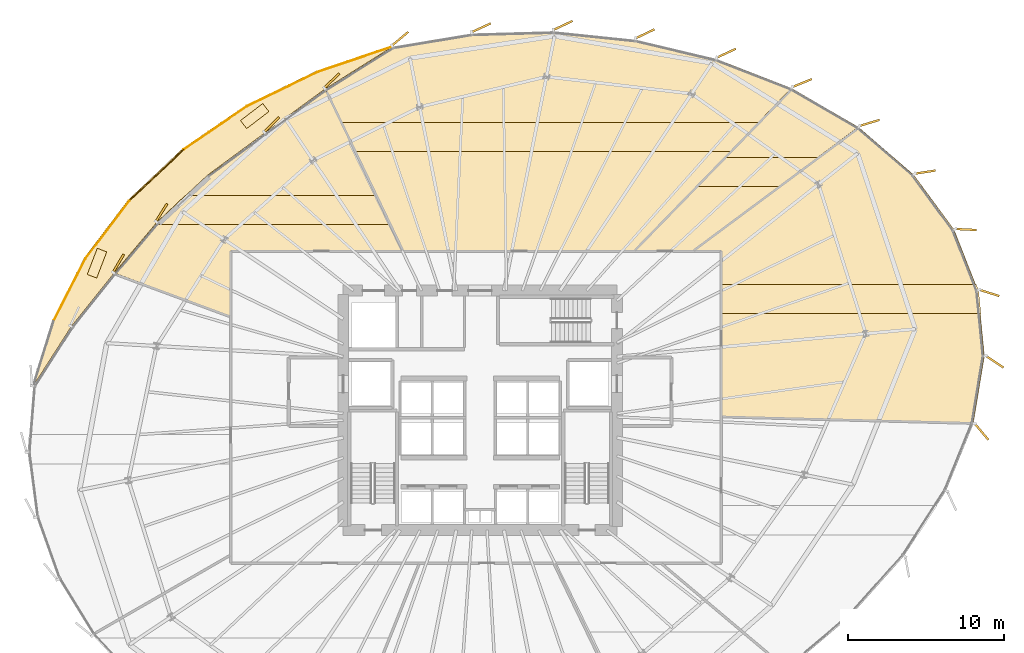
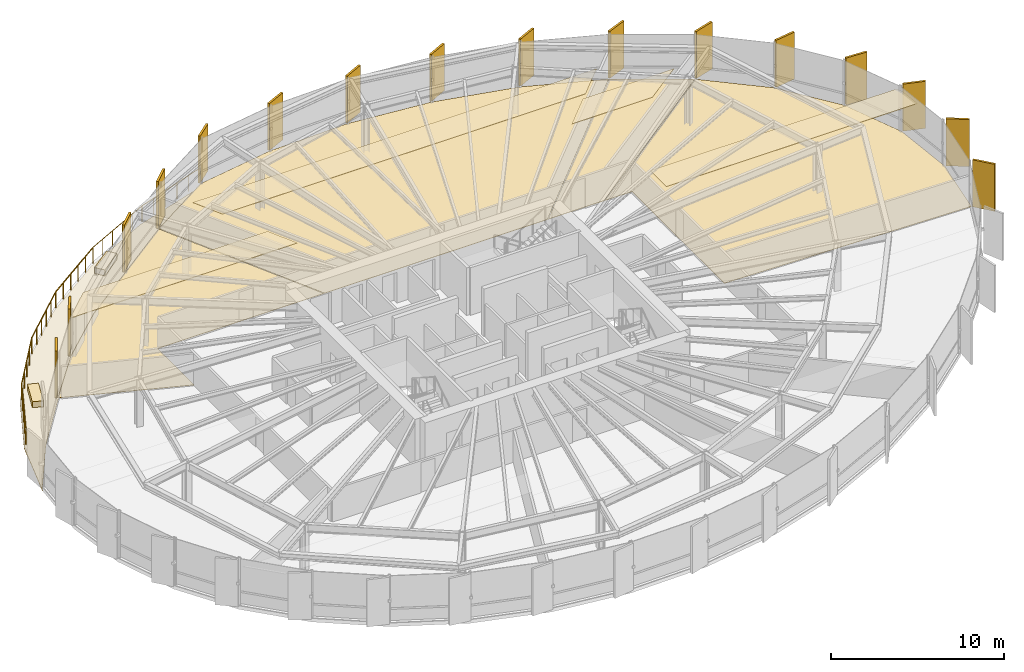
# One storey, part 35 of 35: 27 coverings, 6 railings.
"""IFC4 building model written with IfcOpenShell, lengths in metres."""

from ifc_helpers import new_model, si_unit, direction, frame, origin, origin_2d, place, context, subcontext, project, spatial, polyline, rectangle, circle, outline, extrude, source, transform, mapped, material, layer, layer_set, type_object, element, save


model = new_model("IFC4")

# Units and contexts
model_context = context("Model", 3, precision=1e-05, world=origin(), true_north=direction((0.0, 1.0)))
body_context = subcontext(model_context, "Body", "Model", "MODEL_VIEW")
ifc_project = project(units=[si_unit("LENGTHUNIT", "METRE"), si_unit("AREAUNIT", "SQUARE_METRE"), si_unit("VOLUMEUNIT", "CUBIC_METRE"), si_unit("PLANEANGLEUNIT", "RADIAN"), si_unit("MASSUNIT", "GRAM", prefix="KILO"), si_unit("THERMODYNAMICTEMPERATUREUNIT", "KELVIN")], contexts=[model_context])

# Site, building, storey
site_placement = place(None, origin())
site = spatial("IfcSite", under=ifc_project, at=site_placement, CompositionType="ELEMENT")
building_placement = place(site_placement, origin())
building = spatial("IfcBuilding", under=site, at=building_placement, Name="Kethvar Cultural Tower", CompositionType="ELEMENT")
storey_placement = place(building_placement, frame((0.0, 0.0, 89.199951171875)))
storey = spatial("IfcBuildingStorey", under=building, at=storey_placement, Name="L21", CompositionType="ELEMENT", Elevation=89.199951171875)

# Coverings
ifc_material_1 = material(Name="Acoustic Mineral Fibre Ceiling")
ifc_layer_1 = layer(ifc_material_1, 0.0400390625, Name="Acoustic Mineral Fibre Ceiling")
ifc_layer_set_1 = layer_set([ifc_layer_1], Name="Acoustic Mineral Fibre Ceiling (40 mm)")
covering_type_1 = type_object("IfcCoveringType", Name="CV-ACOUSTIC-CEIL", PredefinedType="CEILING", material=ifc_layer_set_1)
covering_1_placement = place(storey_placement, frame((0.0, 0.0, 2.780029296875)))
element("IfcCovering", 1, at=covering_1_placement, inside=storey, type_object=covering_type_1, Name="L21 Room 05 Acoustic Ceiling Panel", PredefinedType="CEILING", context=body_context, shape_type="SweptSolid", body=[
    extrude(outline(polyline([(62.2900390625, 35.90234375), (78.70068359375, 35.90234375), (78.859619140625, 35.495849609375), (79.0029296875, 34.032470703125), (62.2900390625, 34.032470703125), (62.2900390625, 35.90234375)])), origin(), (0.0, 0.0, 1.0), 0.0400390625),
])
covering_2_placement = place(storey_placement, frame((0.0, 0.0, 2.780029296875)))
element("IfcCovering", 2, at=covering_2_placement, inside=storey, type_object=covering_type_1, Name="L21 Room 06 Acoustic Ceiling Panel", PredefinedType="CEILING", context=body_context, shape_type="SweptSolid", body=[
    extrude(outline(polyline([(66.088623046875, 42.2060546875), (60.713134765625, 42.2060546875), (62.522705078125, 44.075927734375), (68.587890625, 44.075927734375), (66.088623046875, 42.2060546875)])), origin(), (0.0, 0.0, 1.0), 0.0400390625),
])
covering_3_placement = place(storey_placement, frame((0.0, 0.0, 2.780029296875)))
element("IfcCovering", 3, at=covering_3_placement, inside=storey, type_object=covering_type_1, Name="L21 Room 07 Acoustic Ceiling Panel", PredefinedType="CEILING", context=body_context, shape_type="SweptSolid", body=[
    extrude(outline(polyline([(62.92578125, 44.43505859375), (38.75048828125, 44.43505859375), (37.848388671875, 46.30517578125), (64.7353515625, 46.30517578125), (62.92578125, 44.43505859375)])), origin(), (0.0, 0.0, 1.0), 0.0400390625),
])
covering_4_placement = place(storey_placement, frame((0.0, 0.0, 2.780029296875)))
element("IfcCovering", 4, at=covering_4_placement, inside=storey, type_object=covering_type_1, Name="L21 Room 08 Acoustic Ceiling Panel", PredefinedType="CEILING", context=body_context, shape_type="SweptSolid", body=[
    extrude(outline(polyline([(25.8828125, 39.763427734375), (27.856689453125, 41.63330078125), (40.14697265625, 41.63330078125), (41.04931640625, 39.763427734375), (25.8828125, 39.763427734375)])), origin(), (0.0, 0.0, 1.0), 0.0400390625),
])
ifc_material_2 = material(Name="Architectural Oak Timber", Category="wood")
ifc_layer_2 = layer(ifc_material_2, 0.02490234375, Name="Architectural Oak Timber", Category="wood")
ifc_layer_set_2 = layer_set([ifc_layer_2], Name="Architectural Oak Timber (25 mm)")
covering_type_2 = type_object("IfcCoveringType", Name="CV-OAK-FLOOR", PredefinedType="FLOORING", material=ifc_layer_set_2)
covering_5_placement = place(storey_placement, origin())
element("IfcCovering", 5, at=covering_5_placement, inside=storey, type_object=covering_type_2, Name="L21 Room 05 Floor Finish", PredefinedType="FLOORING", context=body_context, shape_type="SweptSolid", body=[
    extrude(outline(polyline([(78.51904296875, 26.9765625), (62.330078125, 27.406982421875), (62.32958984375, 38.0439453125), (60.547119140625, 38.06005859375), (71.14990234375, 45.99267578125), (74.678955078125, 42.946044921875), (77.281982421875, 39.409423828125), (78.820556640625, 35.4873046875), (79.230224609375, 31.29443359375), (78.51904296875, 26.9765625)])), origin(), (0.0, 0.0, 1.0), 0.025146484375),
])
covering_6_placement = place(storey_placement, origin())
element("IfcCovering", 6, at=covering_6_placement, inside=storey, type_object=covering_type_2, Name="L21 Room 06 Floor Finish", PredefinedType="FLOORING", context=body_context, shape_type="SweptSolid", body=[
    extrude(outline(polyline([(71.114501953125, 46.01611328125), (60.480224609375, 38.06005859375), (56.756591796875, 38.06005859375), (66.853515625, 48.493896484375), (71.114501953125, 46.01611328125)])), origin(), (0.0, 0.0, 1.0), 0.025146484375),
])
covering_7_placement = place(storey_placement, origin())
element("IfcCovering", 7, at=covering_7_placement, inside=storey, type_object=covering_type_2, Name="L21 Room 07 Floor Finish", PredefinedType="FLOORING", context=body_context, shape_type="SweptSolid", body=[
    extrude(outline(polyline([(41.190185546875, 51.177001953125), (46.270263671875, 52.02099609375), (51.521484375, 52.166015625), (56.82080078125, 51.6162109375), (61.99560546875, 50.385986328125), (66.814697265625, 48.51123046875), (56.700927734375, 38.06005859375), (41.871337890625, 38.06005859375), (36.853759765625, 48.4580078125), (41.190185546875, 51.177001953125)])), origin(), (0.0, 0.0, 1.0), 0.025146484375),
])
covering_8_placement = place(storey_placement, origin())
element("IfcCovering", 8, at=covering_8_placement, inside=storey, type_object=covering_type_2, Name="L21 Room 08 Floor Finish", PredefinedType="FLOORING", context=body_context, shape_type="SweptSolid", body=[
    extrude(outline(polyline([(26.055908203125, 39.906494140625), (29.29638671875, 42.91552734375), (36.8203125, 48.435302734375), (41.826904296875, 38.06005859375), (30.76220703125, 38.05859375), (30.75, 33.839111328125), (23.29541015625, 36.634033203125), (26.055908203125, 39.906494140625)])), origin(), (0.0, 0.0, 1.0), 0.025146484375),
])
ifc_material_3 = material(Name="Insulated Waterproofing Membrane")
ifc_layer_3 = layer(ifc_material_3, 0.06005859375, Name="Insulated Waterproofing Membrane")
ifc_layer_set_3 = layer_set([ifc_layer_3], Name="Insulated Waterproofing Membrane (60 mm)")
covering_type_3 = type_object("IfcCoveringType", Name="CV-ROOF-MEMB", PredefinedType="ROOFING", material=ifc_layer_set_3)
covering_9_placement = place(storey_placement, frame((0.0, 0.0, -0.27490234375)))
element("IfcCovering", 9, at=covering_9_placement, inside=storey, type_object=covering_type_3, Name="L21 Terrace Waterproofing", PredefinedType="ROOFING", context=body_context, shape_type="SweptSolid", body=[
    extrude(outline(polyline([(41.18310546875, 51.196044921875), (36.3125, 49.65087890625), (31.7607421875, 47.441650390625), (27.666015625, 44.6357421875), (24.15234375, 41.318115234375), (21.326904296875, 37.58984375), (19.275634765625, 33.564208984375), (18.060546875, 29.36328125), (20.514892578125, 33.197021484375), (23.26171875, 36.625244140625), (26.04150390625, 39.92041015625), (29.283447265625, 42.930908203125), (32.9541015625, 45.638671875), (36.827880859375, 48.465576171875), (41.18310546875, 51.196044921875)])), origin(), (0.0, 0.0, 1.0), 0.06005859375),
])

# Railings
ifc_material_4 = material(Name="Steel S355J2", Category="steel")
railing_type = type_object("IfcRailingType", Name="RL-EXT-GUARD-1150", PredefinedType="BALUSTRADE", material=ifc_material_4)
railing_1_placement = place(storey_placement, frame((41.18310546875, 51.196044921875, 0.0)))
element("IfcRailing", 10, at=railing_1_placement, inside=storey, type_object=railing_type, Name="L21 Spiralling Terrace Balustrade 01", PredefinedType="BALUSTRADE", context=body_context, shape_type="SweptSolid", body=[
    extrude(circle(Radius=0.02392578125, at=origin_2d()), frame((0.0, 0.0, 1.1259765625), z_axis=(-0.947114992082, -0.320894362328, 0.0), x_axis=(0.320894362328, -0.947114992082, 0.0)), (0.0, 0.0, 1.0), 5.0966796875),
    extrude(circle(Radius=0.02099609375, at=origin_2d()), origin(), (0.0, 0.0, 1.0), 1.101806640625),
    extrude(circle(Radius=0.02099609375, at=origin_2d()), frame((-0.96533203125, -0.3271484375, 0.0)), (0.0, 0.0, 1.0), 1.101806640625),
    extrude(circle(Radius=0.02099609375, at=origin_2d()), frame((-1.930908203125, -0.654296875, 0.0)), (0.0, 0.0, 1.0), 1.101806640625),
    extrude(circle(Radius=0.02099609375, at=origin_2d()), frame((-2.896240234375, -0.981201171875, 0.0)), (0.0, 0.0, 1.0), 1.101806640625),
    extrude(circle(Radius=0.02099609375, at=origin_2d()), frame((-3.86181640625, -1.308349609375, 0.0)), (0.0, 0.0, 1.0), 1.101806640625),
    extrude(circle(Radius=0.02099609375, at=origin_2d()), frame((-4.8271484375, -1.635498046875, 0.0)), (0.0, 0.0, 1.0), 1.101806640625),
])
railing_2_placement = place(storey_placement, frame((36.35595703125, 49.560546875, 0.0)))
element("IfcRailing", 11, at=railing_2_placement, inside=storey, type_object=railing_type, Name="L21 Spiralling Terrace Balustrade 02", PredefinedType="BALUSTRADE", context=body_context, shape_type="SweptSolid", body=[
    extrude(circle(Radius=0.02392578125, at=origin_2d()), frame((0.0, 0.0, 1.1259765625), z_axis=(-0.899834854404, -0.436230712812, 0.0), x_axis=(0.436230712812, -0.899834854404, 0.0)), (0.0, 0.0, 1.0), 5.0390625),
    extrude(circle(Radius=0.02099609375, at=origin_2d()), origin(), (0.0, 0.0, 1.0), 1.101806640625),
    extrude(circle(Radius=0.02099609375, at=origin_2d()), frame((-0.906982421875, -0.439697265625, 0.0)), (0.0, 0.0, 1.0), 1.101806640625),
    extrude(circle(Radius=0.02099609375, at=origin_2d()), frame((-1.813720703125, -0.87939453125, 0.0)), (0.0, 0.0, 1.0), 1.101806640625),
    extrude(circle(Radius=0.02099609375, at=origin_2d()), frame((-2.720703125, -1.31884765625, 0.0)), (0.0, 0.0, 1.0), 1.101806640625),
    extrude(circle(Radius=0.02099609375, at=origin_2d()), frame((-3.62744140625, -1.758544921875, 0.0)), (0.0, 0.0, 1.0), 1.101806640625),
    extrude(circle(Radius=0.02099609375, at=origin_2d()), frame((-4.534423828125, -2.1982421875, 0.0)), (0.0, 0.0, 1.0), 1.101806640625),
])
railing_3_placement = place(storey_placement, frame((31.821533203125, 47.3623046875, 0.0)))
element("IfcRailing", 12, at=railing_3_placement, inside=storey, type_object=railing_type, Name="L21 Spiralling Terrace Balustrade 03", PredefinedType="BALUSTRADE", context=body_context, shape_type="SweptSolid", body=[
    extrude(circle(Radius=0.02392578125, at=origin_2d()), frame((0.0, 0.0, 1.1259765625), z_axis=(-0.825235802187, -0.564788341583, 0.0), x_axis=(0.564788341583, -0.825235802187, 0.0)), (0.0, 0.0, 1.0), 4.94482421875),
    extrude(circle(Radius=0.02099609375, at=origin_2d()), origin(), (0.0, 0.0, 1.0), 1.101806640625),
    extrude(circle(Radius=0.02099609375, at=origin_2d()), frame((-0.816162109375, -0.55859375, 0.0)), (0.0, 0.0, 1.0), 1.101806640625),
    extrude(circle(Radius=0.02099609375, at=origin_2d()), frame((-1.63232421875, -1.1171875, 0.0)), (0.0, 0.0, 1.0), 1.101806640625),
    extrude(circle(Radius=0.02099609375, at=origin_2d()), frame((-2.4482421875, -1.675537109375, 0.0)), (0.0, 0.0, 1.0), 1.101806640625),
    extrude(circle(Radius=0.02099609375, at=origin_2d()), frame((-3.264404296875, -2.234130859375, 0.0)), (0.0, 0.0, 1.0), 1.101806640625),
    extrude(circle(Radius=0.02099609375, at=origin_2d()), frame((-4.08056640625, -2.792724609375, 0.0)), (0.0, 0.0, 1.0), 1.101806640625),
])
railing_4_placement = place(storey_placement, frame((27.740966796875, 44.569580078125, 0.0)))
element("IfcRailing", 13, at=railing_4_placement, inside=storey, type_object=railing_type, Name="L21 Spiralling Terrace Balustrade 04", PredefinedType="BALUSTRADE", context=body_context, shape_type="SweptSolid", body=[
    extrude(circle(Radius=0.02392578125, at=origin_2d()), frame((0.0, 0.0, 1.1259765625), z_axis=(-0.727568432808, -0.686035112499, 0.0), x_axis=(0.686035112499, -0.727568432808, 0.0)), (0.0, 0.0, 1.0), 4.814208984375),
    extrude(circle(Radius=0.02099609375, at=origin_2d()), origin(), (0.0, 0.0, 1.0), 1.101806640625),
    extrude(circle(Radius=0.02099609375, at=origin_2d()), frame((-0.700439453125, -0.66064453125, 0.0)), (0.0, 0.0, 1.0), 1.101806640625),
    extrude(circle(Radius=0.02099609375, at=origin_2d()), frame((-1.401123046875, -1.321044921875, 0.0)), (0.0, 0.0, 1.0), 1.101806640625),
    extrude(circle(Radius=0.02099609375, at=origin_2d()), frame((-2.1015625, -1.981689453125, 0.0)), (0.0, 0.0, 1.0), 1.101806640625),
    extrude(circle(Radius=0.02099609375, at=origin_2d()), frame((-2.80224609375, -2.64208984375, 0.0)), (0.0, 0.0, 1.0), 1.101806640625),
    extrude(circle(Radius=0.02099609375, at=origin_2d()), frame((-3.502685546875, -3.302734375, 0.0)), (0.0, 0.0, 1.0), 1.101806640625),
])
railing_5_placement = place(storey_placement, frame((24.23828125, 41.266845703125, 0.0)))
element("IfcRailing", 14, at=railing_5_placement, inside=storey, type_object=railing_type, Name="L21 Spiralling Terrace Balustrade 05", PredefinedType="BALUSTRADE", context=body_context, shape_type="SweptSolid", body=[
    extrude(circle(Radius=0.02392578125, at=origin_2d()), frame((0.0, 0.0, 1.1259765625), z_axis=(-0.604549256269, -0.796567760297, 0.0), x_axis=(0.796567760297, -0.604549256269, 0.0)), (0.0, 0.0, 1.0), 4.6611328125),
    extrude(circle(Radius=0.02099609375, at=origin_2d()), origin(), (0.0, 0.0, 1.0), 1.101806640625),
    extrude(circle(Radius=0.02099609375, at=origin_2d()), frame((-0.70458984375, -0.92822265625, 0.0)), (0.0, 0.0, 1.0), 1.101806640625),
    extrude(circle(Radius=0.02099609375, at=origin_2d()), frame((-1.408935546875, -1.8564453125, 0.0)), (0.0, 0.0, 1.0), 1.101806640625),
    extrude(circle(Radius=0.02099609375, at=origin_2d()), frame((-2.11328125, -2.78466796875, 0.0)), (0.0, 0.0, 1.0), 1.101806640625),
    extrude(circle(Radius=0.02099609375, at=origin_2d()), frame((-2.81787109375, -3.712890625, 0.0)), (0.0, 0.0, 1.0), 1.101806640625),
])
railing_6_placement = place(storey_placement, frame((21.42041015625, 37.553955078125, 0.0)))
element("IfcRailing", 15, at=railing_6_placement, inside=storey, type_object=railing_type, Name="L21 Spiralling Terrace Balustrade 06", PredefinedType="BALUSTRADE", context=body_context, shape_type="SweptSolid", body=[
    extrude(circle(Radius=0.02392578125, at=origin_2d()), frame((0.0, 0.0, 1.1259765625), z_axis=(-0.454616092388, -0.890687492077, 0.0), x_axis=(0.890687492077, -0.454616092388, 0.0)), (0.0, 0.0, 1.0), 4.50244140625),
    extrude(circle(Radius=0.02099609375, at=origin_2d()), origin(), (0.0, 0.0, 1.0), 1.101806640625),
    extrude(circle(Radius=0.02099609375, at=origin_2d()), frame((-0.51171875, -1.00244140625, 0.0)), (0.0, 0.0, 1.0), 1.101806640625),
    extrude(circle(Radius=0.02099609375, at=origin_2d()), frame((-1.0234375, -2.005126953125, 0.0)), (0.0, 0.0, 1.0), 1.101806640625),
    extrude(circle(Radius=0.02099609375, at=origin_2d()), frame((-1.53515625, -3.0078125, 0.0)), (0.0, 0.0, 1.0), 1.101806640625),
    extrude(circle(Radius=0.02099609375, at=origin_2d()), frame((-2.046875, -4.01025390625, 0.0)), (0.0, 0.0, 1.0), 1.101806640625),
])

# Coverings
ifc_material_5 = material(Name="Extruded Architectural Terracotta", Category="masonry")
ifc_layer_4 = layer(ifc_material_5, 0.419921875, Name="Extruded Architectural Terracotta", Category="masonry")
ifc_layer_set_4 = layer_set([ifc_layer_4], Name="Extruded Architectural Terracotta (420 mm)")
covering_type_4 = type_object("IfcCoveringType", Name="Terracotta Terrace Planter PLANTER-01", PredefinedType="USERDEFINED", material=ifc_layer_set_4)
shared_shape_1 = source(origin(), body_context, "Body", "SweptSolid", [
    extrude(rectangle(XDim=1.800048828125, YDim=0.64990234375, at=origin_2d()), origin(), (0.0, 0.0, 1.0), 0.419921875),
])
for number, where, z_axis, x_axis, name in (
    (16, (32.307861328125, 46.72705078125, 0.0), (0.0, 0.0, 1.0), (-0.793990398648, -0.607930297695, 0.0), "L21 Sky Terrace Planter Box A"),
    (17, (22.1669921875, 37.26708984375, 0.0), (0.0, 0.0, 1.0), (-0.358693808751, -0.93345527561, 0.0), "L21 Sky Terrace Planter Box B"),
):
    element("IfcCovering", number, at=place(storey_placement, frame(where, z_axis=z_axis, x_axis=x_axis)), inside=storey, type_object=covering_type_4, Name=name, ObjectType="PLANTER", PredefinedType="USERDEFINED", context=body_context, shape_type="MappedRepresentation", body=[
        mapped(shared_shape_1, transform((0.0, 0.0, 0.0), scale=1.0)),
    ])
ifc_layer_5 = layer(ifc_material_5, 0.135009765625, Name="Extruded Architectural Terracotta", Category="masonry")
ifc_layer_set_5 = layer_set([ifc_layer_5], Name="Extruded Architectural Terracotta (135 mm)")
covering_type_5 = type_object("IfcCoveringType", Name="Terracotta Facade Fin FIN-02", PredefinedType="CLADDING", material=ifc_layer_set_5)
shared_shape_2 = source(origin(), body_context, "Body", "SweptSolid", [
    extrude(rectangle(XDim=1.35009765625, YDim=0.135009765625, at=origin_2d()), origin(), (0.0, 0.0, 1.0), 3.31005859375),
])
for number, where, z_axis, x_axis, name in (
    (18, (79.544189453125, 35.35498046875, 0.02001953125), (0.0, 0.0, 1.0), (0.953926650567, -0.300039906241, 0.0), "L21 Vertical Terracotta Fin 1.1"),
    (19, (78.038330078125, 39.43212890625, 0.02001953125), (0.0, 0.0, 1.0), (0.998701636071, -0.050941555809, 0.0), "L21 Vertical Terracotta Fin 1.2"),
    (20, (75.413330078125, 43.121826171875, 0.02001953125), (0.0, 0.0, 1.0), (0.988625510369, 0.150398139113, 0.0), "L21 Vertical Terracotta Fin 1.3"),
    (21, (71.836669921875, 46.284423828125, 0.02001953125), (0.0, 0.0, 1.0), (0.956508636856, 0.291704006862, 0.0), "L21 Vertical Terracotta Fin 1.4"),
    (22, (67.503662109375, 48.84912109375, 0.02001953125), (0.0, 0.0, 1.0), (0.92547440327, 0.378810148876, 0.0), "L21 Vertical Terracotta Fin 1.5"),
    (23, (62.632080078125, 50.76806640625, 0.02001953125), (0.0, 0.0, 1.0), (0.906307787037, 0.422618261741, 0.0), "L21 Vertical Terracotta Fin 1.6"),
    (24, (57.402099609375, 52.01220703125, 0.02001953125), (0.0, 0.0, 1.0), (0.901228341999, 0.433344522957, 0.0), "L21 Vertical Terracotta Fin 2.1"),
    (25, (52.130615234375, 52.55419921875, 0.02001953125), (0.0, 0.0, 1.0), (0.904306189775, 0.426884428311, 0.0), "L21 Vertical Terracotta Fin 2.2"),
    (26, (46.868408203125, 52.402099609375, 0.02001953125), (0.0, 0.0, 1.0), (0.908435232127, 0.418025632026, 0.0), "L21 Vertical Terracotta Fin 2.3"),
    (27, (41.656982421875, 51.69873046875, 0.02001953125), (0.0, 0.0, 1.0), (0.764808968487, 0.64425712392, 0.0), "L21 Vertical Terracotta Fin 2.4"),
    (28, (37.265380859375, 49.0, 0.02001953125), (0.0, 0.0, 1.0), (0.717883334625, 0.696163427557, 0.0), "L21 Vertical Terracotta Fin 2.5"),
    (29, (33.388671875, 46.175537109375, 0.02001953125), (0.0, 0.0, 1.0), (0.714228407531, 0.699912695896, 0.0), "L21 Vertical Terracotta Fin 2.6"),
    (30, (26.314208984375, 40.513427734375, 0.02001953125), (0.0, 0.0, 1.0), (0.532137630417, 0.846657866138, 0.0), "L21 Vertical Terracotta Fin 3.1"),
    (31, (23.5439453125, 37.255615234375, 0.02001953125), (0.0, 0.0, 1.0), (0.510542917912, 0.859852271597, 0.0), "L21 Vertical Terracotta Fin 3.2"),
    (32, (79.049560546875, 26.426513671875, 0.02001953125), (0.0, 0.0, 1.0), (0.643990115982, -0.765033810049, 0.0), "L21 Vertical Terracotta Fin 6.4"),
    (33, (79.8916015625, 30.927001953125, 0.02001953125), (0.0, 0.0, 1.0), (0.83195412213, -0.554844427448, 0.0), "L21 Vertical Terracotta Fin 6.5"),
):
    element("IfcCovering", number, at=place(storey_placement, frame(where, z_axis=z_axis, x_axis=x_axis)), inside=storey, type_object=covering_type_5, Name=name, PredefinedType="CLADDING", context=body_context, shape_type="MappedRepresentation", body=[
        mapped(shared_shape_2, transform((0.0, 0.0, 0.0), scale=1.0)),
    ])

save(model, "model.ifc")
